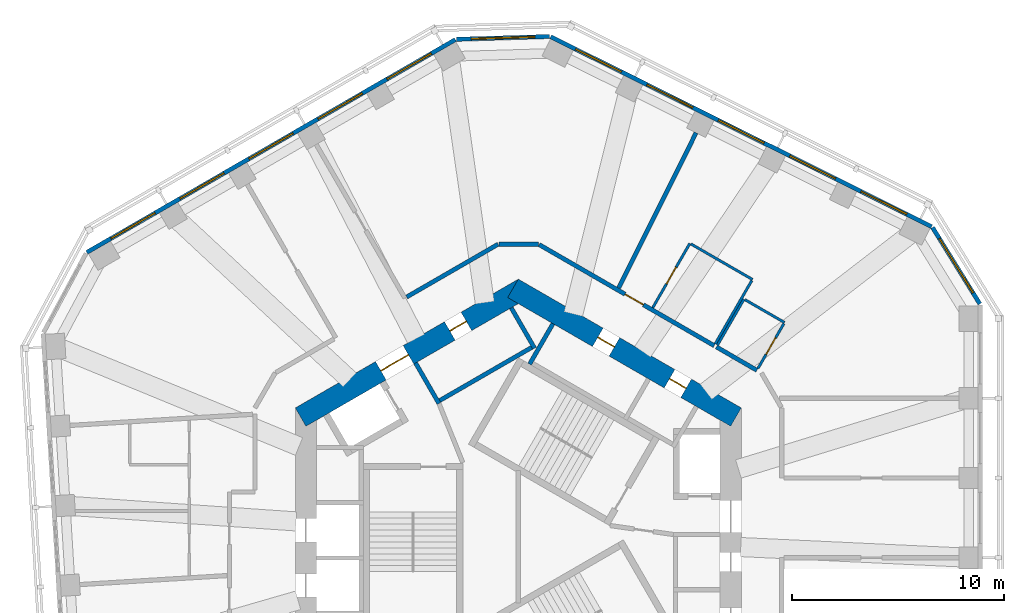
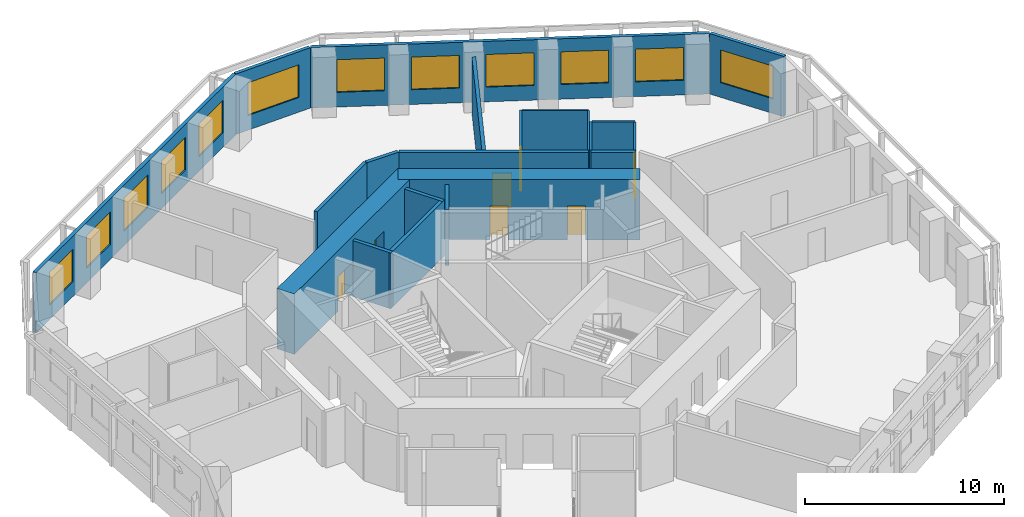
# One storey, part 7 of 10: 21 walls, 12 windows, 7 doors, 19 openings.
"""IFC4 building model written with IfcOpenShell, lengths in metres."""

from ifc_helpers import new_model, si_unit, direction, frame, frame_2d, origin, place, context, subcontext, project, spatial, rectangle, extrude, material, layer, layer_set, type_object, element, fill, save


model = new_model("IFC4")

# Units and contexts
model_context = context("Model", 3, precision=1e-05, world=origin(), true_north=direction((0.0, 1.0)))
body_context = subcontext(model_context, "Body", "Model", "MODEL_VIEW")
ifc_project = project(units=[si_unit("LENGTHUNIT", "METRE"), si_unit("AREAUNIT", "SQUARE_METRE"), si_unit("VOLUMEUNIT", "CUBIC_METRE"), si_unit("PLANEANGLEUNIT", "RADIAN"), si_unit("MASSUNIT", "GRAM", prefix="KILO")], contexts=[model_context])

# Site, building, storey
site_placement = place(None, origin())
site = spatial("IfcSite", under=ifc_project, at=site_placement, CompositionType="ELEMENT")
building_placement = place(site_placement, origin())
building = spatial("IfcBuilding", under=site, at=building_placement, Name="Vanh Sen Convention Tower", CompositionType="ELEMENT")
storey_placement = place(building_placement, frame((0.0, 0.0, 157.699951171875)))
storey = spatial("IfcBuildingStorey", under=building, at=storey_placement, Name="L38", CompositionType="ELEMENT", Elevation=157.699951171875)

# Wall, opening, door
ifc_material_1 = material(Name="Moisture-resistant gypsum board on steel studs", Category="steel")
ifc_layer_1 = layer(ifc_material_1, 0.1201171875)
ifc_layer_set_1 = layer_set([ifc_layer_1], Name="Moisture-resistant gypsum board on steel studs")
wall_type_1 = type_object("IfcWallType", Name="Bathroom partition 120", PredefinedType="PARTITIONING", material=ifc_layer_set_1)
wall_1_placement = place(storey_placement, frame((6.329833984375, 10.779296875, 0.0), z_axis=(0.0, 0.0, 1.0), x_axis=(0.500010275428, 0.866019471182, 0.0)))
wall_1 = element("IfcWall", 1, at=wall_1_placement, inside=storey, type_object=wall_type_1, Name="Bathroom partition 120", PredefinedType="PARTITIONING", context=body_context, shape_type="SweptSolid", body=[
    extrude(rectangle(XDim=3.5, YDim=0.1201171875, at=frame_2d((1.75, 0.0))), origin(), (0.0, 0.0, 1.0), 3.420166015625),
])
opening_1_placement = place(wall_1_placement, frame((1.300048828125, 0.0, 0.0)))
opening_1 = element("IfcOpeningElement", 2, at=opening_1_placement, cuts=wall_1, Name="Opening D38104", PredefinedType="OPENING", context=body_context, shape_type="SweptSolid", body=[
    extrude(rectangle(XDim=0.89990234375, YDim=2.10009765625, at=frame_2d((0.449951171875, 1.050048828125))), frame((0.0, 0.070068359375, 0.0), z_axis=(0.0, -1.0, 0.0), x_axis=(1.0, 0.0, 0.0)), (0.0, 0.0, 1.0), 0.14013671875),
])
ifc_material_2 = material(Name="Laminate door in steel frame", Category="steel")
door_type_1 = type_object("IfcDoorType", Name="Room internal door 900", OperationType="SINGLE_SWING_LEFT", PredefinedType="DOOR", material=ifc_material_2)
door_1_placement = place(opening_1_placement, origin())
door_1 = element("IfcDoor", 3, at=door_1_placement, inside=storey, type_object=door_type_1, Name="Internal room door D38104", OperationType="SINGLE_SWING_LEFT", OverallHeight=2.10009765625, OverallWidth=0.89990234375, PredefinedType="DOOR", context=body_context, shape_type="SweptSolid", body=[
    extrude(rectangle(XDim=0.89990234375, YDim=2.10009765625, at=frame_2d((0.449951171875, 1.050048828125))), frame((0.0, 0.02490234375, 0.0), z_axis=(0.0, -1.0, 0.0), x_axis=(1.0, 0.0, 0.0)), (0.0, 0.0, 1.0), 0.050048828125),
])
fill(opening_1, door_1)

# Walls
wall_2_placement = place(storey_placement, frame((8.1318359375, 13.7802734375, 0.0), z_axis=(0.0, 0.0, 1.0), x_axis=(0.866039519639, -0.499975549825, 0.0)))
element("IfcWall", 4, at=wall_2_placement, inside=storey, type_object=wall_type_1, Name="Bathroom partition 120", PredefinedType="PARTITIONING", context=body_context, shape_type="SweptSolid", body=[
    extrude(rectangle(XDim=3.340087890625, YDim=0.1201171875, at=frame_2d((1.669921875, 0.0))), origin(), (0.0, 0.0, 1.0), 3.420166015625),
])
wall_3_placement = place(storey_placement, frame((9.378173828125, 9.019287109375, 0.0), z_axis=(0.0, 0.0, 1.0), x_axis=(0.500004234368, 0.866022959057, 0.0)))
element("IfcWall", 5, at=wall_3_placement, inside=storey, type_object=wall_type_1, Name="Bathroom partition 120", PredefinedType="PARTITIONING", context=body_context, shape_type="SweptSolid", body=[
    extrude(rectangle(XDim=2.5, YDim=0.1201171875, at=frame_2d((1.25, 0.0))), origin(), (0.0, 0.0, 1.0), 3.420166015625),
])
wall_4_placement = place(storey_placement, frame((10.68017578125, 11.154296875, 0.0), z_axis=(0.0, 0.0, 1.0), x_axis=(0.86600889856, -0.500028586798, 0.0)))
element("IfcWall", 6, at=wall_4_placement, inside=storey, type_object=wall_type_1, Name="Bathroom partition 120", PredefinedType="PARTITIONING", context=body_context, shape_type="SweptSolid", body=[
    extrude(rectangle(XDim=2.139892578125, YDim=0.1201171875, at=frame_2d((1.06982421875, 0.0))), origin(), (0.0, 0.0, 1.0), 3.420166015625),
])
wall_5_placement = place(storey_placement, frame((10.994384765625, 12.058349609375, 0.0), z_axis=(0.0, 0.0, 1.0), x_axis=(-0.500009156386, -0.866020117278, 0.0)))
element("IfcWall", 7, at=wall_5_placement, inside=storey, type_object=wall_type_1, Name="Bathroom partition 120", PredefinedType="PARTITIONING", context=body_context, shape_type="SweptSolid", body=[
    extrude(rectangle(XDim=3.43994140625, YDim=0.1201171875, at=frame_2d((1.719970703125, 0.0))), origin(), (0.0, 0.0, 1.0), 3.420166015625),
])

# Wall, opening, door
wall_6_placement = place(storey_placement, frame((12.50341796875, 10.0322265625, 0.0), z_axis=(0.0, 0.0, 1.0), x_axis=(-0.500002508028, -0.866023955769, 0.0)))
wall_6 = element("IfcWall", 8, at=wall_6_placement, inside=storey, type_object=wall_type_1, Name="Bathroom partition 120", PredefinedType="PARTITIONING", context=body_context, shape_type="SweptSolid", body=[
    extrude(rectangle(XDim=2.43994140625, YDim=0.1201171875, at=frame_2d((1.219970703125, 0.0))), origin(), (0.0, 0.0, 1.0), 3.420166015625),
])
opening_2_placement = place(wall_6_placement, frame((0.77001953125, 0.0, 0.0)))
opening_2 = element("IfcOpeningElement", 9, at=opening_2_placement, cuts=wall_6, Name="Opening D38103", PredefinedType="OPENING", context=body_context, shape_type="SweptSolid", body=[
    extrude(rectangle(XDim=0.89990234375, YDim=2.10009765625, at=frame_2d((0.449951171875, 1.050048828125))), frame((0.0, 0.070068359375, 0.0), z_axis=(0.0, -1.0, 0.0), x_axis=(1.0, 0.0, 0.0)), (0.0, 0.0, 1.0), 0.14013671875),
])
door_2_placement = place(opening_2_placement, origin())
door_2 = element("IfcDoor", 10, at=door_2_placement, inside=storey, type_object=door_type_1, Name="Internal room door D38103", OperationType="SINGLE_SWING_LEFT", OverallHeight=2.10009765625, OverallWidth=0.89990234375, PredefinedType="DOOR", context=body_context, shape_type="SweptSolid", body=[
    extrude(rectangle(XDim=0.89990234375, YDim=2.10009765625, at=frame_2d((0.449951171875, 1.050048828125))), frame((0.0, 0.02490234375, 0.0), z_axis=(0.0, -1.0, 0.0), x_axis=(1.0, 0.0, 0.0)), (0.0, 0.0, 1.0), 0.050048828125),
])
fill(opening_2, door_2)

# Wall, openings, doors
ifc_material_3 = material(Name="Concrete C80/95", Category="concrete")
ifc_layer_2 = layer(ifc_material_3, 1.0)
ifc_layer_set_2 = layer_set([ifc_layer_2], Name="Concrete C80/95")
wall_type_2 = type_object("IfcWallType", Name="Core outer wall 1000 C80/95", PredefinedType="SHEAR", material=ifc_layer_set_2)
wall_7_placement = place(storey_placement, frame((10.25, 5.629150390625, 0.0), z_axis=(0.0, 0.0, 1.0), x_axis=(-0.866022616891, 0.50000482701, 0.0)))
wall_7 = element("IfcWall", 11, at=wall_7_placement, inside=storey, type_object=wall_type_2, Name="Core wall face NE L38", PredefinedType="SHEAR", context=body_context, shape_type="SweptSolid", body=[
    extrude(rectangle(XDim=12.12451171875, YDim=1.0, at=frame_2d((6.062255859375, 0.0))), origin(), (0.0, 0.0, 1.0), 3.699951171875),
])
opening_3_placement = place(wall_7_placement, frame((2.712158203125, 0.0, 0.0)))
opening_3 = element("IfcOpeningElement", 12, at=opening_3_placement, cuts=wall_7, Name="Opening D38011", PredefinedType="OPENING", context=body_context, shape_type="SweptSolid", body=[
    extrude(rectangle(XDim=0.89990234375, YDim=2.10009765625, at=frame_2d((0.449951171875, 1.050048828125))), frame((0.0, 0.510009765625, 0.0), z_axis=(0.0, -1.0, 0.0), x_axis=(1.0, 0.0, 0.0)), (0.0, 0.0, 1.0), 1.02001953125),
])
opening_4_placement = place(wall_7_placement, frame((6.6123046875, 0.0, 0.0)))
opening_4 = element("IfcOpeningElement", 13, at=opening_4_placement, cuts=wall_7, Name="Opening D38012", PredefinedType="OPENING", context=body_context, shape_type="SweptSolid", body=[
    extrude(rectangle(XDim=0.89990234375, YDim=2.10009765625, at=frame_2d((0.449951171875, 1.050048828125))), frame((0.0, 0.510009765625, 0.0), z_axis=(0.0, -1.0, 0.0), x_axis=(1.0, 0.0, 0.0)), (0.0, 0.0, 1.0), 1.02001953125),
])
ifc_material_4 = material(Name="Steel S355", Category="steel")
door_type_2 = type_object("IfcDoorType", Name="Plant door 900", OperationType="SINGLE_SWING_LEFT", PredefinedType="DOOR", material=ifc_material_4)
door_3_placement = place(opening_3_placement, origin())
door_3 = element("IfcDoor", 14, at=door_3_placement, inside=storey, type_object=door_type_2, Name="Plant door D38011", OperationType="SINGLE_SWING_LEFT", OverallHeight=2.10009765625, OverallWidth=0.89990234375, PredefinedType="DOOR", context=body_context, shape_type="SweptSolid", body=[
    extrude(rectangle(XDim=0.89990234375, YDim=2.10009765625, at=frame_2d((0.449951171875, 1.050048828125))), frame((0.0, 0.02490234375, 0.0), z_axis=(0.0, -1.0, 0.0), x_axis=(1.0, 0.0, 0.0)), (0.0, 0.0, 1.0), 0.050048828125),
])
fill(opening_3, door_3)
door_4_placement = place(opening_4_placement, origin())
door_4 = element("IfcDoor", 15, at=door_4_placement, inside=storey, type_object=door_type_2, Name="Plant door D38012", OperationType="SINGLE_SWING_LEFT", OverallHeight=2.10009765625, OverallWidth=0.89990234375, PredefinedType="DOOR", context=body_context, shape_type="SweptSolid", body=[
    extrude(rectangle(XDim=0.89990234375, YDim=2.10009765625, at=frame_2d((0.449951171875, 1.050048828125))), frame((0.0, 0.02490234375, 0.0), z_axis=(0.0, -1.0, 0.0), x_axis=(1.0, 0.0, 0.0)), (0.0, 0.0, 1.0), 0.050048828125),
])
fill(opening_4, door_4)

wall_8_placement = place(storey_placement, frame((0.25, 11.69140625, 0.0), z_axis=(0.0, 0.0, 1.0), x_axis=(-0.866022616891, -0.50000482701, 0.0)))
wall_8 = element("IfcWall", 16, at=wall_8_placement, inside=storey, type_object=wall_type_2, Name="Core wall face NW L38", PredefinedType="SHEAR", context=body_context, shape_type="SweptSolid", body=[
    extrude(rectangle(XDim=12.12451171875, YDim=1.0, at=frame_2d((6.062255859375, 0.0))), origin(), (0.0, 0.0, 1.0), 3.699951171875),
])
opening_5_placement = place(wall_8_placement, frame((6.26220703125, 0.0, 0.0)))
opening_5 = element("IfcOpeningElement", 17, at=opening_5_placement, cuts=wall_8, Name="Opening D38002", PredefinedType="OPENING", context=body_context, shape_type="SweptSolid", body=[
    extrude(rectangle(XDim=1.5, YDim=2.10009765625, at=frame_2d((0.75, 1.050048828125))), frame((0.0, 0.510009765625, 0.0), z_axis=(0.0, -1.0, 0.0), x_axis=(1.0, 0.0, 0.0)), (0.0, 0.0, 1.0), 1.02001953125),
])
opening_6_placement = place(wall_8_placement, frame((3.1123046875, 0.0, 0.0)))
opening_6 = element("IfcOpeningElement", 18, at=opening_6_placement, cuts=wall_8, Name="Opening D38013", PredefinedType="OPENING", context=body_context, shape_type="SweptSolid", body=[
    extrude(rectangle(XDim=0.89990234375, YDim=2.10009765625, at=frame_2d((0.449951171875, 1.050048828125))), frame((0.0, 0.510009765625, 0.0), z_axis=(0.0, -1.0, 0.0), x_axis=(1.0, 0.0, 0.0)), (0.0, 0.0, 1.0), 1.02001953125),
])
door_5_placement = place(opening_6_placement, origin())
door_5 = element("IfcDoor", 19, at=door_5_placement, inside=storey, type_object=door_type_2, Name="Plant door D38013", OperationType="SINGLE_SWING_LEFT", OverallHeight=2.10009765625, OverallWidth=0.89990234375, PredefinedType="DOOR", context=body_context, shape_type="SweptSolid", body=[
    extrude(rectangle(XDim=0.89990234375, YDim=2.10009765625, at=frame_2d((0.449951171875, 1.050048828125))), frame((0.0, 0.02490234375, 0.0), z_axis=(0.0, -1.0, 0.0), x_axis=(1.0, 0.0, 0.0)), (0.0, 0.0, 1.0), 0.050048828125),
])
fill(opening_6, door_5)
door_type_3 = type_object("IfcDoorType", Name="Stair lobby door 1500", OperationType="DOUBLE_DOOR_SINGLE_SWING", PredefinedType="DOOR", material=ifc_material_4)
door_6_placement = place(opening_5_placement, origin())
door_6 = element("IfcDoor", 20, at=door_6_placement, inside=storey, type_object=door_type_3, Name="Stair lobby door D38002", OperationType="DOUBLE_DOOR_SINGLE_SWING", OverallHeight=2.10009765625, OverallWidth=1.5, PredefinedType="DOOR", context=body_context, shape_type="SweptSolid", body=[
    extrude(rectangle(XDim=1.5, YDim=2.10009765625, at=frame_2d((0.75, 1.050048828125))), frame((0.0, 0.02490234375, 0.0), z_axis=(0.0, -1.0, 0.0), x_axis=(1.0, 0.0, 0.0)), (0.0, 0.0, 1.0), 0.050048828125),
])
fill(opening_5, door_6)

# Walls
ifc_material_5 = material(Name="Gypsum board on steel studs with mineral wool", Category="steel")
ifc_layer_3 = layer(ifc_material_5, 0.199951171875)
ifc_layer_set_3 = layer_set([ifc_layer_3], Name="Gypsum board on steel studs with mineral wool")
wall_type_3 = type_object("IfcWallType", Name="Corridor partition wall 200", PredefinedType="PARTITIONING", material=ifc_layer_set_3)
wall_9_placement = place(storey_placement, frame((-0.949951171875, 13.769775390625, 0.0), z_axis=(0.0, 0.0, 1.0), x_axis=(-0.866036689987, -0.499980451214, 0.0)))
element("IfcWall", 21, at=wall_9_placement, inside=storey, type_object=wall_type_3, Name="Corridor partition wall 200", PredefinedType="PARTITIONING", context=body_context, shape_type="SweptSolid", body=[
    extrude(rectangle(XDim=4.969482421875, YDim=0.199951171875, at=frame_2d((2.48486328125, 0.0))), origin(), (0.0, 0.0, 1.0), 3.420166015625),
])
wall_10_placement = place(storey_placement, frame((0.949951171875, 13.769775390625, 0.0), z_axis=(0.0, 0.0, 1.0), x_axis=(-1.0, 0.0, 0.0)))
element("IfcWall", 22, at=wall_10_placement, inside=storey, type_object=wall_type_3, Name="Corridor partition wall 200", PredefinedType="PARTITIONING", context=body_context, shape_type="SweptSolid", body=[
    extrude(rectangle(XDim=1.85986328125, YDim=0.199951171875, at=frame_2d((0.929931640625, 0.0))), origin(), (0.0, 0.0, 1.0), 3.420166015625),
])

# Wall, opening, door
wall_11_placement = place(storey_placement, frame((9.224365234375, 8.99267578125, 0.0), z_axis=(0.0, 0.0, 1.0), x_axis=(-0.866031754707, 0.499988999718, 0.0)))
wall_11 = element("IfcWall", 23, at=wall_11_placement, inside=storey, type_object=wall_type_3, Name="Corridor partition wall 200", PredefinedType="PARTITIONING", context=body_context, shape_type="SweptSolid", body=[
    extrude(rectangle(XDim=9.514404296875, YDim=0.199951171875, at=frame_2d((4.75732421875, 0.0))), origin(), (0.0, 0.0, 1.0), 3.420166015625),
])
opening_7_placement = place(wall_11_placement, frame((3.84765625, 0.0, 0.0)))
opening_7 = element("IfcOpeningElement", 24, at=opening_7_placement, cuts=wall_11, Name="Opening D38102", PredefinedType="OPENING", context=body_context, shape_type="SweptSolid", body=[
    extrude(rectangle(XDim=1.0, YDim=2.10009765625, at=frame_2d((0.5, 1.050048828125))), frame((0.0, 0.10986328125, 0.0), z_axis=(0.0, -1.0, 0.0), x_axis=(1.0, 0.0, 0.0)), (0.0, 0.0, 1.0), 0.219970703125),
])
ifc_material_6 = material(Name="Glazed fire door in steel frame", Category="steel")
door_type_4 = type_object("IfcDoorType", Name="Tenant entrance door 1000", OperationType="SINGLE_SWING_LEFT", PredefinedType="DOOR", material=ifc_material_6)
door_7_placement = place(opening_7_placement, origin())
door_7 = element("IfcDoor", 25, at=door_7_placement, inside=storey, type_object=door_type_4, Name="Tenant suite entrance door D38102", OperationType="SINGLE_SWING_LEFT", OverallHeight=2.10009765625, OverallWidth=1.0, PredefinedType="DOOR", context=body_context, shape_type="SweptSolid", body=[
    extrude(rectangle(XDim=1.0, YDim=2.10009765625, at=frame_2d((0.5, 1.050048828125))), frame((0.0, 0.02490234375, 0.0), z_axis=(0.0, -1.0, 0.0), x_axis=(1.0, 0.0, 0.0)), (0.0, 0.0, 1.0), 0.050048828125),
])
fill(opening_7, door_7)

# Wall
wall_12_placement = place(storey_placement, frame((11.2333984375, 7.83251953125, 0.0), z_axis=(0.0, 0.0, 1.0), x_axis=(-0.866008176907, 0.50002983664, 0.0)))
element("IfcWall", 26, at=wall_12_placement, inside=storey, type_object=wall_type_3, Name="Corridor partition wall 200", PredefinedType="PARTITIONING", context=body_context, shape_type="SweptSolid", body=[
    extrude(rectangle(XDim=2.199951171875, YDim=0.199951171875, at=frame_2d((1.10009765625, 0.0))), origin(), (0.0, 0.0, 1.0), 3.420166015625),
])

# Wall, opening, window
ifc_material_7 = material(Name="Insulated lightweight infill wall")
ifc_layer_4 = layer(ifc_material_7, 0.199951171875)
ifc_layer_set_4 = layer_set([ifc_layer_4], Name="Insulated lightweight infill wall")
wall_type_4 = type_object("IfcWallType", Name="External wall 200", PredefinedType="STANDARD", material=ifc_layer_set_4)
wall_13_placement = place(storey_placement, frame((21.735107421875, 10.9580078125, 0.0), z_axis=(0.0, 0.0, 1.0), x_axis=(-0.526213807775, 0.850352296702, 0.0)))
wall_13 = element("IfcWall", 27, at=wall_13_placement, inside=storey, type_object=wall_type_4, Name="External wall CH1 L38", PredefinedType="STANDARD", context=body_context, shape_type="SweptSolid", body=[
    extrude(rectangle(XDim=4.23828125, YDim=0.199951171875, at=frame_2d((2.119140625, 0.0))), origin(), (0.0, 0.0, 1.0), 3.699951171875),
])
opening_8_placement = place(wall_13_placement, frame((0.619140625, 0.0, 0.89990234375)))
opening_8 = element("IfcOpeningElement", 28, at=opening_8_placement, cuts=wall_13, Name="Opening WO2-CH11", PredefinedType="OPENING", context=body_context, shape_type="SweptSolid", body=[
    extrude(rectangle(XDim=3.0, YDim=2.0, at=frame_2d((1.5, 1.0))), frame((0.0, 0.10986328125, 0.0), z_axis=(0.0, -1.0, 0.0), x_axis=(1.0, 0.0, 0.0)), (0.0, 0.0, 1.0), 0.219970703125),
])
ifc_material_8 = material(Name="Aluminium frame with clear low-emissivity glass", Category="aluminium")
window_type_1 = type_object("IfcWindowType", Name="Office window 3000 x 2000", PartitioningType="SINGLE_PANEL", PredefinedType="WINDOW", material=ifc_material_8)
window_1_placement = place(opening_8_placement, origin())
window_1 = element("IfcWindow", 29, at=window_1_placement, inside=storey, type_object=window_type_1, Name="Window WO2-CH11", OverallHeight=2.0, OverallWidth=3.0, PartitioningType="SINGLE_PANEL", PredefinedType="WINDOW", context=body_context, shape_type="SweptSolid", body=[
    extrude(rectangle(XDim=3.0, YDim=2.0, at=frame_2d((1.5, 1.0))), frame((0.0, 0.030029296875, 0.0), z_axis=(0.0, -1.0, 0.0), x_axis=(1.0, 0.0, 0.0)), (0.0, 0.0, 1.0), 0.06005859375),
])
fill(opening_8, window_1)

# Wall, openings, windows
wall_14_placement = place(storey_placement, frame((19.46435546875, 14.598876953125, 0.0), z_axis=(0.0, 0.0, 1.0), x_axis=(-0.894935755043, 0.446195018289, 0.0)))
wall_14 = element("IfcWall", 30, at=wall_14_placement, inside=storey, type_object=wall_type_4, Name="External wall NE L38", PredefinedType="STANDARD", context=body_context, shape_type="SweptSolid", body=[
    extrude(rectangle(XDim=20.043701171875, YDim=0.199951171875, at=frame_2d((10.02197265625, 0.0))), origin(), (0.0, 0.0, 1.0), 3.699951171875),
])
opening_9_placement = place(wall_14_placement, frame((1.31298828125, 0.0, 0.89990234375)))
opening_9 = element("IfcOpeningElement", 31, at=opening_9_placement, cuts=wall_14, Name="Opening WO1-NE1", PredefinedType="OPENING", context=body_context, shape_type="SweptSolid", body=[
    extrude(rectangle(XDim=2.39990234375, YDim=2.0, at=frame_2d((1.199951171875, 1.0))), frame((0.0, 0.10986328125, 0.0), z_axis=(0.0, -1.0, 0.0), x_axis=(1.0, 0.0, 0.0)), (0.0, 0.0, 1.0), 0.219970703125),
])
opening_10_placement = place(wall_14_placement, frame((5.06689453125, 0.0, 0.89990234375)))
opening_10 = element("IfcOpeningElement", 32, at=opening_10_placement, cuts=wall_14, Name="Opening WO1-NE2", PredefinedType="OPENING", context=body_context, shape_type="SweptSolid", body=[
    extrude(rectangle(XDim=2.39990234375, YDim=2.0, at=frame_2d((1.199951171875, 1.0))), frame((0.0, 0.10986328125, 0.0), z_axis=(0.0, -1.0, 0.0), x_axis=(1.0, 0.0, 0.0)), (0.0, 0.0, 1.0), 0.219970703125),
])
opening_11_placement = place(wall_14_placement, frame((8.821044921875, 0.0, 0.89990234375)))
opening_11 = element("IfcOpeningElement", 33, at=opening_11_placement, cuts=wall_14, Name="Opening WO1-NE3", PredefinedType="OPENING", context=body_context, shape_type="SweptSolid", body=[
    extrude(rectangle(XDim=2.39990234375, YDim=2.0, at=frame_2d((1.199951171875, 1.0))), frame((0.0, 0.10986328125, 0.0), z_axis=(0.0, -1.0, 0.0), x_axis=(1.0, 0.0, 0.0)), (0.0, 0.0, 1.0), 0.219970703125),
])
opening_12_placement = place(wall_14_placement, frame((12.5751953125, 0.0, 0.89990234375)))
opening_12 = element("IfcOpeningElement", 34, at=opening_12_placement, cuts=wall_14, Name="Opening WO1-NE4", PredefinedType="OPENING", context=body_context, shape_type="SweptSolid", body=[
    extrude(rectangle(XDim=2.39990234375, YDim=2.0, at=frame_2d((1.199951171875, 1.0))), frame((0.0, 0.10986328125, 0.0), z_axis=(0.0, -1.0, 0.0), x_axis=(1.0, 0.0, 0.0)), (0.0, 0.0, 1.0), 0.219970703125),
])
opening_13_placement = place(wall_14_placement, frame((16.329345703125, 0.0, 0.89990234375)))
opening_13 = element("IfcOpeningElement", 35, at=opening_13_placement, cuts=wall_14, Name="Opening WO1-NE5", PredefinedType="OPENING", context=body_context, shape_type="SweptSolid", body=[
    extrude(rectangle(XDim=2.39990234375, YDim=2.0, at=frame_2d((1.199951171875, 1.0))), frame((0.0, 0.10986328125, 0.0), z_axis=(0.0, -1.0, 0.0), x_axis=(1.0, 0.0, 0.0)), (0.0, 0.0, 1.0), 0.219970703125),
])
window_type_2 = type_object("IfcWindowType", Name="Office window 2400 x 2000", PartitioningType="SINGLE_PANEL", PredefinedType="WINDOW", material=ifc_material_8)
window_2_placement = place(opening_9_placement, origin())
window_2 = element("IfcWindow", 36, at=window_2_placement, inside=storey, type_object=window_type_2, Name="Window WO1-NE1", OverallHeight=2.0, OverallWidth=2.39990234375, PartitioningType="SINGLE_PANEL", PredefinedType="WINDOW", context=body_context, shape_type="SweptSolid", body=[
    extrude(rectangle(XDim=2.39990234375, YDim=2.0, at=frame_2d((1.199951171875, 1.0))), frame((0.0, 0.030029296875, 0.0), z_axis=(0.0, -1.0, 0.0), x_axis=(1.0, 0.0, 0.0)), (0.0, 0.0, 1.0), 0.06005859375),
])
fill(opening_9, window_2)
window_3_placement = place(opening_10_placement, origin())
window_3 = element("IfcWindow", 37, at=window_3_placement, inside=storey, type_object=window_type_2, Name="Window WO1-NE2", OverallHeight=2.0, OverallWidth=2.39990234375, PartitioningType="SINGLE_PANEL", PredefinedType="WINDOW", context=body_context, shape_type="SweptSolid", body=[
    extrude(rectangle(XDim=2.39990234375, YDim=2.0, at=frame_2d((1.199951171875, 1.0))), frame((0.0, 0.030029296875, 0.0), z_axis=(0.0, -1.0, 0.0), x_axis=(1.0, 0.0, 0.0)), (0.0, 0.0, 1.0), 0.06005859375),
])
fill(opening_10, window_3)
window_4_placement = place(opening_11_placement, origin())
window_4 = element("IfcWindow", 38, at=window_4_placement, inside=storey, type_object=window_type_2, Name="Window WO1-NE3", OverallHeight=2.0, OverallWidth=2.39990234375, PartitioningType="SINGLE_PANEL", PredefinedType="WINDOW", context=body_context, shape_type="SweptSolid", body=[
    extrude(rectangle(XDim=2.39990234375, YDim=2.0, at=frame_2d((1.199951171875, 1.0))), frame((0.0, 0.030029296875, 0.0), z_axis=(0.0, -1.0, 0.0), x_axis=(1.0, 0.0, 0.0)), (0.0, 0.0, 1.0), 0.06005859375),
])
fill(opening_11, window_4)
window_5_placement = place(opening_12_placement, origin())
window_5 = element("IfcWindow", 39, at=window_5_placement, inside=storey, type_object=window_type_2, Name="Window WO1-NE4", OverallHeight=2.0, OverallWidth=2.39990234375, PartitioningType="SINGLE_PANEL", PredefinedType="WINDOW", context=body_context, shape_type="SweptSolid", body=[
    extrude(rectangle(XDim=2.39990234375, YDim=2.0, at=frame_2d((1.199951171875, 1.0))), frame((0.0, 0.030029296875, 0.0), z_axis=(0.0, -1.0, 0.0), x_axis=(1.0, 0.0, 0.0)), (0.0, 0.0, 1.0), 0.06005859375),
])
fill(opening_12, window_5)
window_6_placement = place(opening_13_placement, origin())
window_6 = element("IfcWindow", 40, at=window_6_placement, inside=storey, type_object=window_type_2, Name="Window WO1-NE5", OverallHeight=2.0, OverallWidth=2.39990234375, PartitioningType="SINGLE_PANEL", PredefinedType="WINDOW", context=body_context, shape_type="SweptSolid", body=[
    extrude(rectangle(XDim=2.39990234375, YDim=2.0, at=frame_2d((1.199951171875, 1.0))), frame((0.0, 0.030029296875, 0.0), z_axis=(0.0, -1.0, 0.0), x_axis=(1.0, 0.0, 0.0)), (0.0, 0.0, 1.0), 0.06005859375),
])
fill(opening_13, window_6)

# Wall, opening, window
wall_15_placement = place(storey_placement, frame((1.478759765625, 23.552734375, 0.0), z_axis=(0.0, 0.0, 1.0), x_axis=(-0.999534786117, -0.03049936625, 0.0)))
wall_15 = element("IfcWall", 41, at=wall_15_placement, inside=storey, type_object=wall_type_4, Name="External wall CH2 L38", PredefinedType="STANDARD", context=body_context, shape_type="SweptSolid", body=[
    extrude(rectangle(XDim=4.39453125, YDim=0.199951171875, at=frame_2d((2.197265625, 0.0))), origin(), (0.0, 0.0, 1.0), 3.699951171875),
])
opening_14_placement = place(wall_15_placement, frame((0.697509765625, 0.0, 0.89990234375)))
opening_14 = element("IfcOpeningElement", 42, at=opening_14_placement, cuts=wall_15, Name="Opening WO2-CH21", PredefinedType="OPENING", context=body_context, shape_type="SweptSolid", body=[
    extrude(rectangle(XDim=3.0, YDim=2.0, at=frame_2d((1.5, 1.0))), frame((0.0, 0.10986328125, 0.0), z_axis=(0.0, -1.0, 0.0), x_axis=(1.0, 0.0, 0.0)), (0.0, 0.0, 1.0), 0.219970703125),
])
window_7_placement = place(opening_14_placement, origin())
window_7 = element("IfcWindow", 43, at=window_7_placement, inside=storey, type_object=window_type_1, Name="Window WO2-CH21", OverallHeight=2.0, OverallWidth=3.0, PartitioningType="SINGLE_PANEL", PredefinedType="WINDOW", context=body_context, shape_type="SweptSolid", body=[
    extrude(rectangle(XDim=3.0, YDim=2.0, at=frame_2d((1.5, 1.0))), frame((0.0, 0.030029296875, 0.0), z_axis=(0.0, -1.0, 0.0), x_axis=(1.0, 0.0, 0.0)), (0.0, 0.0, 1.0), 0.06005859375),
])
fill(opening_14, window_7)

# Wall, openings, windows
wall_16_placement = place(storey_placement, frame((-2.9609375, 23.4052734375, 0.0), z_axis=(0.0, 0.0, 1.0), x_axis=(-0.866023315909, -0.500003616288, 0.0)))
wall_16 = element("IfcWall", 44, at=wall_16_placement, inside=storey, type_object=wall_type_4, Name="External wall NW L38", PredefinedType="STANDARD", context=body_context, shape_type="SweptSolid", body=[
    extrude(rectangle(XDim=20.043701171875, YDim=0.199951171875, at=frame_2d((10.02197265625, 0.0))), origin(), (0.0, 0.0, 1.0), 3.699951171875),
])
opening_15_placement = place(wall_16_placement, frame((1.314453125, 0.0, 0.89990234375)))
opening_15 = element("IfcOpeningElement", 45, at=opening_15_placement, cuts=wall_16, Name="Opening WO1-NW1", PredefinedType="OPENING", context=body_context, shape_type="SweptSolid", body=[
    extrude(rectangle(XDim=2.39990234375, YDim=2.0, at=frame_2d((1.199951171875, 1.0))), frame((0.0, 0.10986328125, 0.0), z_axis=(0.0, -1.0, 0.0), x_axis=(1.0, 0.0, 0.0)), (0.0, 0.0, 1.0), 0.219970703125),
])
opening_16_placement = place(wall_16_placement, frame((5.068603515625, 0.0, 0.89990234375)))
opening_16 = element("IfcOpeningElement", 46, at=opening_16_placement, cuts=wall_16, Name="Opening WO1-NW2", PredefinedType="OPENING", context=body_context, shape_type="SweptSolid", body=[
    extrude(rectangle(XDim=2.39990234375, YDim=2.0, at=frame_2d((1.199951171875, 1.0))), frame((0.0, 0.10986328125, 0.0), z_axis=(0.0, -1.0, 0.0), x_axis=(1.0, 0.0, 0.0)), (0.0, 0.0, 1.0), 0.219970703125),
])
opening_17_placement = place(wall_16_placement, frame((8.82275390625, 0.0, 0.89990234375)))
opening_17 = element("IfcOpeningElement", 47, at=opening_17_placement, cuts=wall_16, Name="Opening WO1-NW3", PredefinedType="OPENING", context=body_context, shape_type="SweptSolid", body=[
    extrude(rectangle(XDim=2.39990234375, YDim=2.0, at=frame_2d((1.199951171875, 1.0))), frame((0.0, 0.10986328125, 0.0), z_axis=(0.0, -1.0, 0.0), x_axis=(1.0, 0.0, 0.0)), (0.0, 0.0, 1.0), 0.219970703125),
])
opening_18_placement = place(wall_16_placement, frame((12.576904296875, 0.0, 0.89990234375)))
opening_18 = element("IfcOpeningElement", 48, at=opening_18_placement, cuts=wall_16, Name="Opening WO1-NW4", PredefinedType="OPENING", context=body_context, shape_type="SweptSolid", body=[
    extrude(rectangle(XDim=2.39990234375, YDim=2.0, at=frame_2d((1.199951171875, 1.0))), frame((0.0, 0.10986328125, 0.0), z_axis=(0.0, -1.0, 0.0), x_axis=(1.0, 0.0, 0.0)), (0.0, 0.0, 1.0), 0.219970703125),
])
opening_19_placement = place(wall_16_placement, frame((16.330810546875, 0.0, 0.89990234375)))
opening_19 = element("IfcOpeningElement", 49, at=opening_19_placement, cuts=wall_16, Name="Opening WO1-NW5", PredefinedType="OPENING", context=body_context, shape_type="SweptSolid", body=[
    extrude(rectangle(XDim=2.39990234375, YDim=2.0, at=frame_2d((1.199951171875, 1.0))), frame((0.0, 0.10986328125, 0.0), z_axis=(0.0, -1.0, 0.0), x_axis=(1.0, 0.0, 0.0)), (0.0, 0.0, 1.0), 0.219970703125),
])
window_8_placement = place(opening_15_placement, origin())
window_8 = element("IfcWindow", 50, at=window_8_placement, inside=storey, type_object=window_type_2, Name="Window WO1-NW1", OverallHeight=2.0, OverallWidth=2.39990234375, PartitioningType="SINGLE_PANEL", PredefinedType="WINDOW", context=body_context, shape_type="SweptSolid", body=[
    extrude(rectangle(XDim=2.39990234375, YDim=2.0, at=frame_2d((1.199951171875, 1.0))), frame((0.0, 0.030029296875, 0.0), z_axis=(0.0, -1.0, 0.0), x_axis=(1.0, 0.0, 0.0)), (0.0, 0.0, 1.0), 0.06005859375),
])
fill(opening_15, window_8)
window_9_placement = place(opening_16_placement, origin())
window_9 = element("IfcWindow", 51, at=window_9_placement, inside=storey, type_object=window_type_2, Name="Window WO1-NW2", OverallHeight=2.0, OverallWidth=2.39990234375, PartitioningType="SINGLE_PANEL", PredefinedType="WINDOW", context=body_context, shape_type="SweptSolid", body=[
    extrude(rectangle(XDim=2.39990234375, YDim=2.0, at=frame_2d((1.199951171875, 1.0))), frame((0.0, 0.030029296875, 0.0), z_axis=(0.0, -1.0, 0.0), x_axis=(1.0, 0.0, 0.0)), (0.0, 0.0, 1.0), 0.06005859375),
])
fill(opening_16, window_9)
window_10_placement = place(opening_17_placement, origin())
window_10 = element("IfcWindow", 52, at=window_10_placement, inside=storey, type_object=window_type_2, Name="Window WO1-NW3", OverallHeight=2.0, OverallWidth=2.39990234375, PartitioningType="SINGLE_PANEL", PredefinedType="WINDOW", context=body_context, shape_type="SweptSolid", body=[
    extrude(rectangle(XDim=2.39990234375, YDim=2.0, at=frame_2d((1.199951171875, 1.0))), frame((0.0, 0.030029296875, 0.0), z_axis=(0.0, -1.0, 0.0), x_axis=(1.0, 0.0, 0.0)), (0.0, 0.0, 1.0), 0.06005859375),
])
fill(opening_17, window_10)
window_11_placement = place(opening_18_placement, origin())
window_11 = element("IfcWindow", 53, at=window_11_placement, inside=storey, type_object=window_type_2, Name="Window WO1-NW4", OverallHeight=2.0, OverallWidth=2.39990234375, PartitioningType="SINGLE_PANEL", PredefinedType="WINDOW", context=body_context, shape_type="SweptSolid", body=[
    extrude(rectangle(XDim=2.39990234375, YDim=2.0, at=frame_2d((1.199951171875, 1.0))), frame((0.0, 0.030029296875, 0.0), z_axis=(0.0, -1.0, 0.0), x_axis=(1.0, 0.0, 0.0)), (0.0, 0.0, 1.0), 0.06005859375),
])
fill(opening_18, window_11)
window_12_placement = place(opening_19_placement, origin())
window_12 = element("IfcWindow", 54, at=window_12_placement, inside=storey, type_object=window_type_2, Name="Window WO1-NW5", OverallHeight=2.0, OverallWidth=2.39990234375, PartitioningType="SINGLE_PANEL", PredefinedType="WINDOW", context=body_context, shape_type="SweptSolid", body=[
    extrude(rectangle(XDim=2.39990234375, YDim=2.0, at=frame_2d((1.199951171875, 1.0))), frame((0.0, 0.030029296875, 0.0), z_axis=(0.0, -1.0, 0.0), x_axis=(1.0, 0.0, 0.0)), (0.0, 0.0, 1.0), 0.06005859375),
])
fill(opening_19, window_12)

# Walls
ifc_material_9 = material(Name="Concrete C40/50", Category="concrete")
ifc_layer_5 = layer(ifc_material_9, 0.199951171875)
ifc_layer_set_5 = layer_set([ifc_layer_5], Name="Concrete C40/50")
wall_type_5 = type_object("IfcWallType", Name="Lift shaft wall 200", PredefinedType="PARTITIONING", material=ifc_layer_set_5)
wall_17_placement = place(storey_placement, frame((0.5322265625, 8.1220703125, 0.0), z_axis=(0.0, 0.0, 1.0), x_axis=(0.500077893725, 0.86598042715, 0.0)))
element("IfcWall", 55, at=wall_17_placement, inside=storey, type_object=wall_type_5, Name="Lift shaft wall L38", PredefinedType="PARTITIONING", context=body_context, shape_type="SweptSolid", body=[
    extrude(rectangle(XDim=2.199951171875, YDim=0.199951171875, at=frame_2d((1.10009765625, 0.0))), origin(), (0.0, 0.0, 1.0), 3.420166015625),
])
wall_18_placement = place(storey_placement, frame((0.80322265625, 9.008544921875, 0.0), z_axis=(0.0, 0.0, 1.0), x_axis=(-0.866028230842, -0.499995103361, 0.0)))
element("IfcWall", 56, at=wall_18_placement, inside=storey, type_object=wall_type_5, Name="Lift shaft wall L38", PredefinedType="PARTITIONING", context=body_context, shape_type="SweptSolid", body=[
    extrude(rectangle(XDim=5.39990234375, YDim=0.199951171875, at=frame_2d((2.699951171875, 0.0))), origin(), (0.0, 0.0, 1.0), 3.420166015625),
])
wall_19_placement = place(storey_placement, frame((0.7666015625, 8.8720703125, 0.0), z_axis=(0.0, 0.0, 1.0), x_axis=(-0.499994660107, 0.866028486751, 0.0)))
element("IfcWall", 57, at=wall_19_placement, inside=storey, type_object=wall_type_5, Name="Lift shaft wall L38", PredefinedType="PARTITIONING", context=body_context, shape_type="SweptSolid", body=[
    extrude(rectangle(XDim=2.19970703125, YDim=0.199951171875, at=frame_2d((1.099853515625, 0.0))), origin(), (0.0, 0.0, 1.0), 3.420166015625),
])
wall_20_placement = place(storey_placement, frame((-3.736572265625, 6.27197265625, 0.0), z_axis=(0.0, 0.0, 1.0), x_axis=(-0.50002983664, 0.866008176907, 0.0)))
element("IfcWall", 58, at=wall_20_placement, inside=storey, type_object=wall_type_5, Name="Lift shaft wall L38", PredefinedType="PARTITIONING", context=body_context, shape_type="SweptSolid", body=[
    extrude(rectangle(XDim=2.199951171875, YDim=0.199951171875, at=frame_2d((1.10009765625, 0.0))), origin(), (0.0, 0.0, 1.0), 3.420166015625),
])
ifc_layer_6 = layer(ifc_material_5, 0.199951171875)
ifc_layer_set_6 = layer_set([ifc_layer_6], Name="Gypsum board on steel studs with mineral wool")
wall_type_6 = type_object("IfcWallType", Name="Tenant suite wall 200", PredefinedType="PARTITIONING", material=ifc_layer_set_6)
wall_21_placement = place(storey_placement, frame((8.3701171875, 19.012939453125, 0.0), z_axis=(0.0, 0.0, 1.0), x_axis=(-0.446183598632, -0.894941448538, 0.0)))
element("IfcWall", 59, at=wall_21_placement, inside=storey, type_object=wall_type_6, Name="Tenant suite wall 200", PredefinedType="PARTITIONING", context=body_context, shape_type="SweptSolid", body=[
    extrude(rectangle(XDim=8.15625, YDim=0.199951171875, at=frame_2d((4.078125, 0.0))), origin(), (0.0, 0.0, 1.0), 3.420166015625),
])

save(model, "model.ifc")
